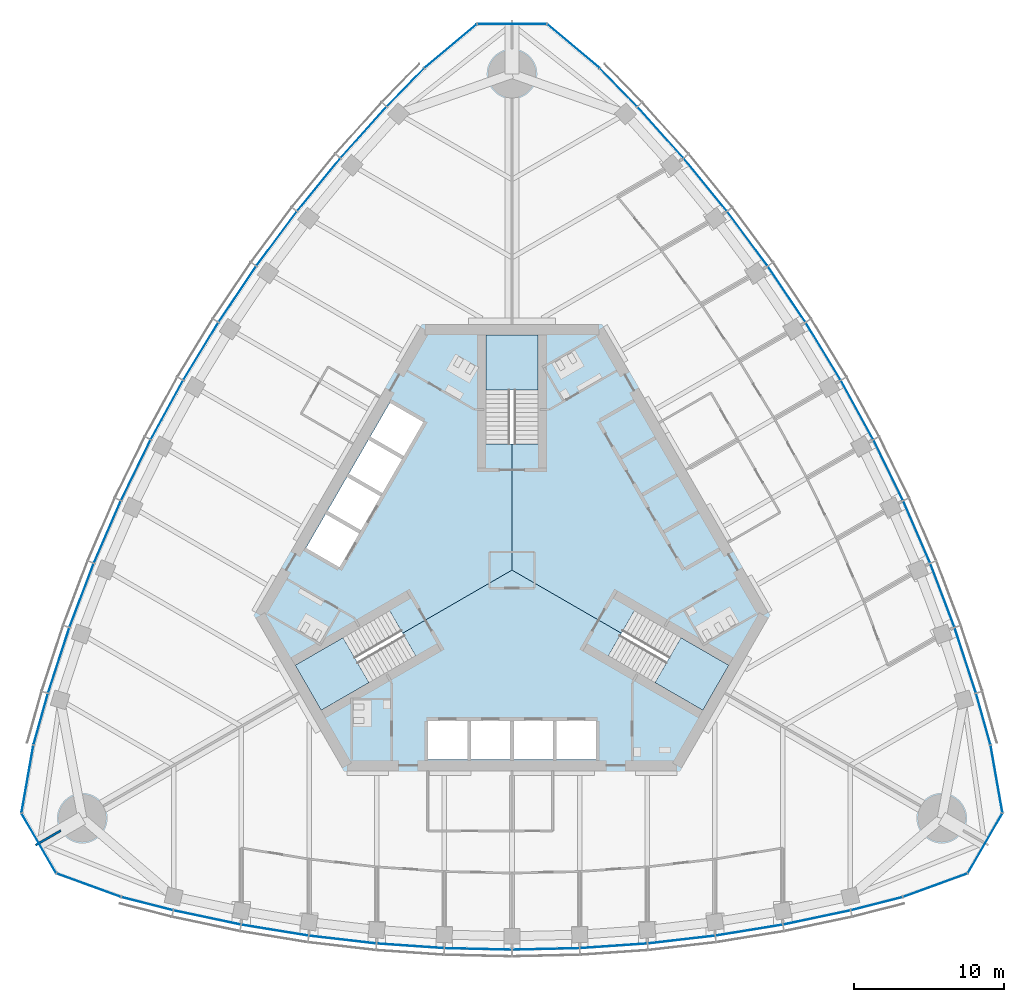
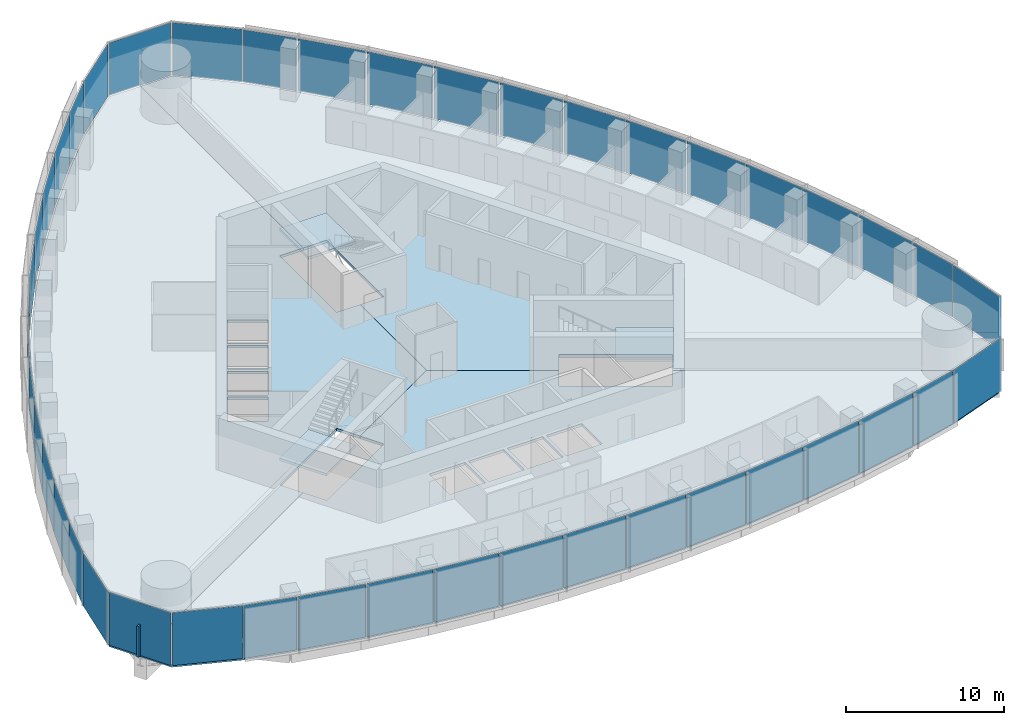
# One storey, part 10 of 19: 45 plates, 6 slabs, 1 wall, 9 elements without a shape of their own.
"""IFC4 building model written with IfcOpenShell, lengths in metres."""

from ifc_helpers import new_model, si_unit, direction, frame, frame_2d, origin, origin_2d, place, context, subcontext, project, spatial, polyline, rectangle, outline, extrude, material, layer, layer_set, type_object, element, aggregate, save


model = new_model("IFC4")

# Units and contexts
model_context = context("Model", 3, precision=1e-05, world=origin(), true_north=direction((0.0, 1.0)))
body_context = subcontext(model_context, "Body", "Model", "MODEL_VIEW")
ifc_project = project(units=[si_unit("LENGTHUNIT", "METRE"), si_unit("AREAUNIT", "SQUARE_METRE"), si_unit("VOLUMEUNIT", "CUBIC_METRE"), si_unit("PLANEANGLEUNIT", "RADIAN"), si_unit("MASSUNIT", "GRAM", prefix="KILO")], contexts=[model_context])

# Site, building, storey
site_placement = place(None, origin())
site = spatial("IfcSite", under=ifc_project, at=site_placement, CompositionType="ELEMENT")
building_placement = place(site_placement, origin())
building = spatial("IfcBuilding", under=site, at=building_placement, Name="Trefoil Bronze Tower", CompositionType="ELEMENT")
storey_placement = place(building_placement, frame((0.0, 0.0, 235.89990234375)))
storey = spatial("IfcBuildingStorey", under=building, at=storey_placement, Name="L54", CompositionType="ELEMENT", Elevation=235.89990234375)

# Curtain wall, plates
ifc_material_1 = material(Name="Tinted solar-control glass", Category="glass")
curtain_wall_type_1 = type_object("IfcCurtainWallType", Name="Bronze office curtain wall", PredefinedType="USERDEFINED", material=ifc_material_1)
curtain_wall_1_placement = place(storey_placement, origin())
curtain_wall_1 = element("IfcCurtainWall", 1, at=curtain_wall_1_placement, inside=storey, type_object=curtain_wall_type_1, Name="CW-A L54 F1", ObjectType="CURTAIN WALL", PredefinedType="USERDEFINED")
ifc_material_2 = material(Name="Tinted solar-control glass", Category="glass")
ifc_layer_1 = layer(ifc_material_2, 0.030029296875)
ifc_layer_set_1 = layer_set([ifc_layer_1], Name="Bronze office curtain wall glass panel")
plate_type_1 = type_object("IfcPlateType", Name="Bronze office curtain wall glass panel", PredefinedType="CURTAIN_PANEL", material=ifc_layer_set_1)
plate_1_placement = place(storey_placement, frame((-24.251220703125, -22.188232421875, 0.0), z_axis=(0.0, 0.0, 1.0), x_axis=(0.968934035393, -0.247319297786, 0.0)))
plate_1 = element("IfcPlate", 2, at=plate_1_placement, type_object=plate_type_1, Name="CW-A L54 F1 panel 1", PredefinedType="CURTAIN_PANEL", context=body_context, shape_type="SweptSolid", body=[
    extrude(rectangle(XDim=3.483642578125, YDim=0.030029296875, at=origin_2d()), origin(), (0.0, 0.0, 1.0), 4.080078125),
])
plate_2_placement = place(storey_placement, frame((-20.270751953125, -23.105224609375, 0.0), z_axis=(0.0, 0.0, 1.0), x_axis=(0.978394335897, -0.20674748725, 0.0)))
plate_2 = element("IfcPlate", 3, at=plate_2_placement, type_object=plate_type_1, Name="CW-A L54 F1 panel 2", PredefinedType="CURTAIN_PANEL", context=body_context, shape_type="SweptSolid", body=[
    extrude(rectangle(XDim=4.519287109375, YDim=0.030029296875, at=origin_2d()), origin(), (0.0, 0.0, 1.0), 4.080078125),
])
plate_3_placement = place(storey_placement, frame((-15.76611328125, -23.9482421875, 0.0), z_axis=(0.0, 0.0, 1.0), x_axis=(0.986986549528, -0.160802832848, 0.0)))
plate_3 = element("IfcPlate", 4, at=plate_3_placement, type_object=plate_type_1, Name="CW-A L54 F1 panel 3", PredefinedType="CURTAIN_PANEL", context=body_context, shape_type="SweptSolid", body=[
    extrude(rectangle(XDim=4.479248046875, YDim=0.030029296875, at=origin_2d()), origin(), (0.0, 0.0, 1.0), 4.080078125),
])
plate_4_placement = place(storey_placement, frame((-11.261474609375, -24.57568359375, 0.0), z_axis=(0.0, 0.0, 1.0), x_axis=(0.993381831741, -0.114858767043, 0.0)))
plate_4 = element("IfcPlate", 5, at=plate_4_placement, type_object=plate_type_1, Name="CW-A L54 F1 panel 4", PredefinedType="CURTAIN_PANEL", context=body_context, shape_type="SweptSolid", body=[
    extrude(rectangle(XDim=4.449951171875, YDim=0.030029296875, at=origin_2d()), origin(), (0.0, 0.0, 1.0), 4.080078125),
])
plate_5_placement = place(storey_placement, frame((-6.7568359375, -24.991455078125, 0.0), z_axis=(0.0, 0.0, 1.0), x_axis=(0.99762252804, -0.068915103905, 0.0)))
plate_5 = element("IfcPlate", 6, at=plate_5_placement, type_object=plate_type_1, Name="CW-A L54 F1 panel 5", PredefinedType="CURTAIN_PANEL", context=body_context, shape_type="SweptSolid", body=[
    extrude(rectangle(XDim=4.4306640625, YDim=0.030029296875, at=origin_2d()), origin(), (0.0, 0.0, 1.0), 4.080078125),
])
plate_6_placement = place(storey_placement, frame((-2.252197265625, -25.198974609375, 0.0), z_axis=(0.0, 0.0, 1.0), x_axis=(0.999736116243, -0.022971675577, 0.0)))
plate_6 = element("IfcPlate", 7, at=plate_6_placement, type_object=plate_type_1, Name="CW-A L54 F1 panel 6", PredefinedType="CURTAIN_PANEL", context=body_context, shape_type="SweptSolid", body=[
    extrude(rectangle(XDim=4.421142578125, YDim=0.030029296875, at=origin_2d()), origin(), (0.0, 0.0, 1.0), 4.080078125),
])
plate_7_placement = place(storey_placement, frame((2.252197265625, -25.198974609375, 0.0), z_axis=(0.0, 0.0, 1.0), x_axis=(0.999736116243, 0.022971675577, 0.0)))
plate_7 = element("IfcPlate", 8, at=plate_7_placement, type_object=plate_type_1, Name="CW-A L54 F1 panel 7", PredefinedType="CURTAIN_PANEL", context=body_context, shape_type="SweptSolid", body=[
    extrude(rectangle(XDim=4.421142578125, YDim=0.030029296875, at=origin_2d()), origin(), (0.0, 0.0, 1.0), 4.080078125),
])
plate_8_placement = place(storey_placement, frame((6.7568359375, -24.991455078125, 0.0), z_axis=(0.0, 0.0, 1.0), x_axis=(0.99762252804, 0.068915103905, 0.0)))
plate_8 = element("IfcPlate", 9, at=plate_8_placement, type_object=plate_type_1, Name="CW-A L54 F1 panel 8", PredefinedType="CURTAIN_PANEL", context=body_context, shape_type="SweptSolid", body=[
    extrude(rectangle(XDim=4.4306640625, YDim=0.030029296875, at=origin_2d()), origin(), (0.0, 0.0, 1.0), 4.080078125),
])
plate_9_placement = place(storey_placement, frame((11.261474609375, -24.57568359375, 0.0), z_axis=(0.0, 0.0, 1.0), x_axis=(0.993381831741, 0.114858767043, 0.0)))
plate_9 = element("IfcPlate", 10, at=plate_9_placement, type_object=plate_type_1, Name="CW-A L54 F1 panel 9", PredefinedType="CURTAIN_PANEL", context=body_context, shape_type="SweptSolid", body=[
    extrude(rectangle(XDim=4.449951171875, YDim=0.030029296875, at=origin_2d()), origin(), (0.0, 0.0, 1.0), 4.080078125),
])
plate_10_placement = place(storey_placement, frame((15.76611328125, -23.9482421875, 0.0), z_axis=(0.0, 0.0, 1.0), x_axis=(0.986986549528, 0.160802832848, 0.0)))
plate_10 = element("IfcPlate", 11, at=plate_10_placement, type_object=plate_type_1, Name="CW-A L54 F1 panel 10", PredefinedType="CURTAIN_PANEL", context=body_context, shape_type="SweptSolid", body=[
    extrude(rectangle(XDim=4.479248046875, YDim=0.030029296875, at=origin_2d()), origin(), (0.0, 0.0, 1.0), 4.080078125),
])
plate_11_placement = place(storey_placement, frame((20.270751953125, -23.105224609375, 0.0), z_axis=(0.0, 0.0, 1.0), x_axis=(0.978394335897, 0.20674748725, 0.0)))
plate_11 = element("IfcPlate", 12, at=plate_11_placement, type_object=plate_type_1, Name="CW-A L54 F1 panel 11", PredefinedType="CURTAIN_PANEL", context=body_context, shape_type="SweptSolid", body=[
    extrude(rectangle(XDim=4.519287109375, YDim=0.030029296875, at=origin_2d()), origin(), (0.0, 0.0, 1.0), 4.080078125),
])
plate_12_placement = place(storey_placement, frame((24.251220703125, -22.188232421875, 0.0), z_axis=(0.0, 0.0, 1.0), x_axis=(0.968934035393, 0.247319297786, 0.0)))
plate_12 = element("IfcPlate", 13, at=plate_12_placement, type_object=plate_type_1, Name="CW-A L54 F1 panel 12", PredefinedType="CURTAIN_PANEL", context=body_context, shape_type="SweptSolid", body=[
    extrude(rectangle(XDim=3.483642578125, YDim=0.030029296875, at=origin_2d()), origin(), (0.0, 0.0, 1.0), 4.080078125),
])
aggregate(curtain_wall_1, [plate_1, plate_2, plate_3, plate_4, plate_5, plate_6, plate_7, plate_8, plate_9, plate_10, plate_11, plate_12])

curtain_wall_2_placement = place(storey_placement, origin())
curtain_wall_2 = element("IfcCurtainWall", 14, at=curtain_wall_2_placement, inside=storey, type_object=curtain_wall_type_1, Name="CW-A L54 F2", ObjectType="CURTAIN WALL", PredefinedType="USERDEFINED")
plate_13_placement = place(storey_placement, frame((31.341064453125, -9.907958984375, 0.0), z_axis=(0.0, 0.0, 1.0), x_axis=(-0.270282222968, 0.962781138134, 0.0)))
plate_13 = element("IfcPlate", 15, at=plate_13_placement, type_object=plate_type_1, Name="CW-A L54 F2 panel 1", PredefinedType="CURTAIN_PANEL", context=body_context, shape_type="SweptSolid", body=[
    extrude(rectangle(XDim=3.483642578125, YDim=0.030029296875, at=origin_2d()), origin(), (0.0, 0.0, 1.0), 4.080078125),
])
plate_14_placement = place(storey_placement, frame((30.14501953125, -6.002197265625, 0.0), z_axis=(0.0, 0.0, 1.0), x_axis=(-0.310148591821, 0.950688093431, 0.0)))
plate_14 = element("IfcPlate", 16, at=plate_14_placement, type_object=plate_type_1, Name="CW-A L54 F2 panel 2", PredefinedType="CURTAIN_PANEL", context=body_context, shape_type="SweptSolid", body=[
    extrude(rectangle(XDim=4.519287109375, YDim=0.030029296875, at=origin_2d()), origin(), (0.0, 0.0, 1.0), 4.080078125),
])
plate_15_placement = place(storey_placement, frame((28.622802734375, -1.6796875, 0.0), z_axis=(0.0, 0.0, 1.0), x_axis=(-0.354233936517, 0.935156841508, 0.0)))
plate_15 = element("IfcPlate", 17, at=plate_15_placement, type_object=plate_type_1, Name="CW-A L54 F2 panel 3", PredefinedType="CURTAIN_PANEL", context=body_context, shape_type="SweptSolid", body=[
    extrude(rectangle(XDim=4.479248046875, YDim=0.030029296875, at=origin_2d()), origin(), (0.0, 0.0, 1.0), 4.080078125),
])
plate_16_placement = place(storey_placement, frame((26.913818359375, 2.53515625, 0.0), z_axis=(0.0, 0.0, 1.0), x_axis=(-0.397220305764, 0.917723285467, 0.0)))
plate_16 = element("IfcPlate", 18, at=plate_16_placement, type_object=plate_type_1, Name="CW-A L54 F2 panel 4", PredefinedType="CURTAIN_PANEL", context=body_context, shape_type="SweptSolid", body=[
    extrude(rectangle(XDim=4.449951171875, YDim=0.030029296875, at=origin_2d()), origin(), (0.0, 0.0, 1.0), 4.080078125),
])
plate_17_placement = place(storey_placement, frame((25.021728515625, 6.64404296875, 0.0), z_axis=(0.0, 0.0, 1.0), x_axis=(-0.439129033334, 0.898424004623, 0.0)))
plate_17 = element("IfcPlate", 19, at=plate_17_placement, type_object=plate_type_1, Name="CW-A L54 F2 panel 5", PredefinedType="CURTAIN_PANEL", context=body_context, shape_type="SweptSolid", body=[
    extrude(rectangle(XDim=4.4306640625, YDim=0.030029296875, at=origin_2d()), origin(), (0.0, 0.0, 1.0), 4.080078125),
])
plate_18_placement = place(storey_placement, frame((22.948974609375, 10.64892578125, 0.0), z_axis=(0.0, 0.0, 1.0), x_axis=(-0.479974003504, 0.877282711536, 0.0)))
plate_18 = element("IfcPlate", 20, at=plate_18_placement, type_object=plate_type_1, Name="CW-A L54 F2 panel 6", PredefinedType="CURTAIN_PANEL", context=body_context, shape_type="SweptSolid", body=[
    extrude(rectangle(XDim=4.421142578125, YDim=0.030029296875, at=origin_2d()), origin(), (0.0, 0.0, 1.0), 4.080078125),
])
plate_19_placement = place(storey_placement, frame((20.69677734375, 14.550048828125, 0.0), z_axis=(0.0, 0.0, 1.0), x_axis=(-0.519762112739, 0.854311035959, 0.0)))
plate_19 = element("IfcPlate", 21, at=plate_19_placement, type_object=plate_type_1, Name="CW-A L54 F2 panel 7", PredefinedType="CURTAIN_PANEL", context=body_context, shape_type="SweptSolid", body=[
    extrude(rectangle(XDim=4.421142578125, YDim=0.030029296875, at=origin_2d()), origin(), (0.0, 0.0, 1.0), 4.080078125),
])
plate_20_placement = place(storey_placement, frame((18.264892578125, 18.347412109375, 0.0), z_axis=(0.0, 0.0, 1.0), x_axis=(-0.558493494706, 0.829508900718, 0.0)))
plate_20 = element("IfcPlate", 22, at=plate_20_placement, type_object=plate_type_1, Name="CW-A L54 F2 panel 8", PredefinedType="CURTAIN_PANEL", context=body_context, shape_type="SweptSolid", body=[
    extrude(rectangle(XDim=4.4306640625, YDim=0.030029296875, at=origin_2d()), origin(), (0.0, 0.0, 1.0), 4.080078125),
])
plate_21_placement = place(storey_placement, frame((15.65234375, 22.04052734375, 0.0), z_axis=(0.0, 0.0, 1.0), x_axis=(-0.596161525977, 0.802864518425, 0.0)))
plate_21 = element("IfcPlate", 23, at=plate_21_placement, type_object=plate_type_1, Name="CW-A L54 F2 panel 9", PredefinedType="CURTAIN_PANEL", context=body_context, shape_type="SweptSolid", body=[
    extrude(rectangle(XDim=4.449951171875, YDim=0.030029296875, at=origin_2d()), origin(), (0.0, 0.0, 1.0), 4.080078125),
])
plate_22_placement = place(storey_placement, frame((12.856689453125, 25.6279296875, 0.0), z_axis=(0.0, 0.0, 1.0), x_axis=(-0.63275261301, 0.774354008661, 0.0)))
plate_22 = element("IfcPlate", 24, at=plate_22_placement, type_object=plate_type_1, Name="CW-A L54 F2 panel 10", PredefinedType="CURTAIN_PANEL", context=body_context, shape_type="SweptSolid", body=[
    extrude(rectangle(XDim=4.479248046875, YDim=0.030029296875, at=origin_2d()), origin(), (0.0, 0.0, 1.0), 4.080078125),
])
plate_23_placement = place(storey_placement, frame((9.87451171875, 29.107666015625, 0.0), z_axis=(0.0, 0.0, 1.0), x_axis=(-0.668245744076, 0.743940606181, 0.0)))
plate_23 = element("IfcPlate", 25, at=plate_23_placement, type_object=plate_type_1, Name="CW-A L54 F2 panel 11", PredefinedType="CURTAIN_PANEL", context=body_context, shape_type="SweptSolid", body=[
    extrude(rectangle(XDim=4.519287109375, YDim=0.030029296875, at=origin_2d()), origin(), (0.0, 0.0, 1.0), 4.080078125),
])
plate_24_placement = place(storey_placement, frame((7.08984375, 32.09619140625, 0.0), z_axis=(0.0, 0.0, 1.0), x_axis=(-0.698651812425, 0.715461840349, 0.0)))
plate_24 = element("IfcPlate", 26, at=plate_24_placement, type_object=plate_type_1, Name="CW-A L54 F2 panel 12", PredefinedType="CURTAIN_PANEL", context=body_context, shape_type="SweptSolid", body=[
    extrude(rectangle(XDim=3.483642578125, YDim=0.030029296875, at=origin_2d()), origin(), (0.0, 0.0, 1.0), 4.080078125),
])
aggregate(curtain_wall_2, [plate_13, plate_14, plate_15, plate_16, plate_17, plate_18, plate_19, plate_20, plate_21, plate_22, plate_23, plate_24])

curtain_wall_3_placement = place(storey_placement, origin())
curtain_wall_3 = element("IfcCurtainWall", 27, at=curtain_wall_3_placement, inside=storey, type_object=curtain_wall_type_1, Name="CW-A L54 F3", ObjectType="CURTAIN WALL", PredefinedType="USERDEFINED")
plate_25_placement = place(storey_placement, frame((-7.08984375, 32.09619140625, 0.0), z_axis=(0.0, 0.0, 1.0), x_axis=(-0.698651812425, -0.715461840349, 0.0)))
plate_25 = element("IfcPlate", 28, at=plate_25_placement, type_object=plate_type_1, Name="CW-A L54 F3 panel 1", PredefinedType="CURTAIN_PANEL", context=body_context, shape_type="SweptSolid", body=[
    extrude(rectangle(XDim=3.483642578125, YDim=0.030029296875, at=origin_2d()), origin(), (0.0, 0.0, 1.0), 4.080078125),
])
plate_26_placement = place(storey_placement, frame((-9.87451171875, 29.107666015625, 0.0), z_axis=(0.0, 0.0, 1.0), x_axis=(-0.668245744076, -0.743940606181, 0.0)))
plate_26 = element("IfcPlate", 29, at=plate_26_placement, type_object=plate_type_1, Name="CW-A L54 F3 panel 2", PredefinedType="CURTAIN_PANEL", context=body_context, shape_type="SweptSolid", body=[
    extrude(rectangle(XDim=4.519287109375, YDim=0.030029296875, at=origin_2d()), origin(), (0.0, 0.0, 1.0), 4.080078125),
])
plate_27_placement = place(storey_placement, frame((-12.856689453125, 25.6279296875, 0.0), z_axis=(0.0, 0.0, 1.0), x_axis=(-0.63275261301, -0.774354008661, 0.0)))
plate_27 = element("IfcPlate", 30, at=plate_27_placement, type_object=plate_type_1, Name="CW-A L54 F3 panel 3", PredefinedType="CURTAIN_PANEL", context=body_context, shape_type="SweptSolid", body=[
    extrude(rectangle(XDim=4.479248046875, YDim=0.030029296875, at=origin_2d()), origin(), (0.0, 0.0, 1.0), 4.080078125),
])
plate_28_placement = place(storey_placement, frame((-15.65234375, 22.04052734375, 0.0), z_axis=(0.0, 0.0, 1.0), x_axis=(-0.596161525977, -0.802864518425, 0.0)))
plate_28 = element("IfcPlate", 31, at=plate_28_placement, type_object=plate_type_1, Name="CW-A L54 F3 panel 4", PredefinedType="CURTAIN_PANEL", context=body_context, shape_type="SweptSolid", body=[
    extrude(rectangle(XDim=4.449951171875, YDim=0.030029296875, at=origin_2d()), origin(), (0.0, 0.0, 1.0), 4.080078125),
])
plate_29_placement = place(storey_placement, frame((-18.264892578125, 18.347412109375, 0.0), z_axis=(0.0, 0.0, 1.0), x_axis=(-0.558493494706, -0.829508900718, 0.0)))
plate_29 = element("IfcPlate", 32, at=plate_29_placement, type_object=plate_type_1, Name="CW-A L54 F3 panel 5", PredefinedType="CURTAIN_PANEL", context=body_context, shape_type="SweptSolid", body=[
    extrude(rectangle(XDim=4.4306640625, YDim=0.030029296875, at=origin_2d()), origin(), (0.0, 0.0, 1.0), 4.080078125),
])
plate_30_placement = place(storey_placement, frame((-20.69677734375, 14.550048828125, 0.0), z_axis=(0.0, 0.0, 1.0), x_axis=(-0.519762112739, -0.854311035959, 0.0)))
plate_30 = element("IfcPlate", 33, at=plate_30_placement, type_object=plate_type_1, Name="CW-A L54 F3 panel 6", PredefinedType="CURTAIN_PANEL", context=body_context, shape_type="SweptSolid", body=[
    extrude(rectangle(XDim=4.421142578125, YDim=0.030029296875, at=origin_2d()), origin(), (0.0, 0.0, 1.0), 4.080078125),
])
plate_31_placement = place(storey_placement, frame((-22.948974609375, 10.64892578125, 0.0), z_axis=(0.0, 0.0, 1.0), x_axis=(-0.479974003504, -0.877282711536, 0.0)))
plate_31 = element("IfcPlate", 34, at=plate_31_placement, type_object=plate_type_1, Name="CW-A L54 F3 panel 7", PredefinedType="CURTAIN_PANEL", context=body_context, shape_type="SweptSolid", body=[
    extrude(rectangle(XDim=4.421142578125, YDim=0.030029296875, at=origin_2d()), origin(), (0.0, 0.0, 1.0), 4.080078125),
])
plate_32_placement = place(storey_placement, frame((-25.021728515625, 6.64404296875, 0.0), z_axis=(0.0, 0.0, 1.0), x_axis=(-0.439129033334, -0.898424004623, 0.0)))
plate_32 = element("IfcPlate", 35, at=plate_32_placement, type_object=plate_type_1, Name="CW-A L54 F3 panel 8", PredefinedType="CURTAIN_PANEL", context=body_context, shape_type="SweptSolid", body=[
    extrude(rectangle(XDim=4.4306640625, YDim=0.030029296875, at=origin_2d()), origin(), (0.0, 0.0, 1.0), 4.080078125),
])
plate_33_placement = place(storey_placement, frame((-26.913818359375, 2.53515625, 0.0), z_axis=(0.0, 0.0, 1.0), x_axis=(-0.397220305764, -0.917723285467, 0.0)))
plate_33 = element("IfcPlate", 36, at=plate_33_placement, type_object=plate_type_1, Name="CW-A L54 F3 panel 9", PredefinedType="CURTAIN_PANEL", context=body_context, shape_type="SweptSolid", body=[
    extrude(rectangle(XDim=4.449951171875, YDim=0.030029296875, at=origin_2d()), origin(), (0.0, 0.0, 1.0), 4.080078125),
])
plate_34_placement = place(storey_placement, frame((-28.622802734375, -1.6796875, 0.0), z_axis=(0.0, 0.0, 1.0), x_axis=(-0.354233936517, -0.935156841508, 0.0)))
plate_34 = element("IfcPlate", 37, at=plate_34_placement, type_object=plate_type_1, Name="CW-A L54 F3 panel 10", PredefinedType="CURTAIN_PANEL", context=body_context, shape_type="SweptSolid", body=[
    extrude(rectangle(XDim=4.479248046875, YDim=0.030029296875, at=origin_2d()), origin(), (0.0, 0.0, 1.0), 4.080078125),
])
plate_35_placement = place(storey_placement, frame((-30.14501953125, -6.002197265625, 0.0), z_axis=(0.0, 0.0, 1.0), x_axis=(-0.310148591821, -0.950688093431, 0.0)))
plate_35 = element("IfcPlate", 38, at=plate_35_placement, type_object=plate_type_1, Name="CW-A L54 F3 panel 11", PredefinedType="CURTAIN_PANEL", context=body_context, shape_type="SweptSolid", body=[
    extrude(rectangle(XDim=4.519287109375, YDim=0.030029296875, at=origin_2d()), origin(), (0.0, 0.0, 1.0), 4.080078125),
])
plate_36_placement = place(storey_placement, frame((-31.341064453125, -9.907958984375, 0.0), z_axis=(0.0, 0.0, 1.0), x_axis=(-0.270282222968, -0.962781138134, 0.0)))
plate_36 = element("IfcPlate", 39, at=plate_36_placement, type_object=plate_type_1, Name="CW-A L54 F3 panel 12", PredefinedType="CURTAIN_PANEL", context=body_context, shape_type="SweptSolid", body=[
    extrude(rectangle(XDim=3.483642578125, YDim=0.030029296875, at=origin_2d()), origin(), (0.0, 0.0, 1.0), 4.080078125),
])
aggregate(curtain_wall_3, [plate_25, plate_26, plate_27, plate_28, plate_29, plate_30, plate_31, plate_32, plate_33, plate_34, plate_35, plate_36])

ifc_material_3 = material(Name="Tinted solar-control glass", Category="glass")
curtain_wall_type_2 = type_object("IfcCurtainWallType", Name="Bronze rounded corner curtain wall", PredefinedType="USERDEFINED", material=ifc_material_3)
curtain_wall_4_placement = place(storey_placement, origin())
curtain_wall_4 = element("IfcCurtainWall", 40, at=curtain_wall_4_placement, inside=storey, type_object=curtain_wall_type_2, Name="CW-B L54 K1", ObjectType="CURTAIN WALL", PredefinedType="USERDEFINED")
ifc_material_4 = material(Name="Tinted solar-control glass", Category="glass")
ifc_layer_2 = layer(ifc_material_4, 0.030029296875)
ifc_layer_set_2 = layer_set([ifc_layer_2], Name="Bronze rounded corner curtain wall glass panel")
plate_type_2 = type_object("IfcPlateType", Name="Bronze rounded corner curtain wall glass panel", PredefinedType="CURTAIN_PANEL", material=ifc_layer_set_2)
plate_37_placement = place(storey_placement, frame((28.1298828125, -20.96484375, 0.0), z_axis=(0.0, 0.0, 1.0), x_axis=(0.939692620786, 0.342020143326, 0.0)))
plate_37 = element("IfcPlate", 41, at=plate_37_placement, type_object=plate_type_2, Name="CW-B L54 K1 panel 1", PredefinedType="CURTAIN_PANEL", context=body_context, shape_type="SweptSolid", body=[
    extrude(rectangle(XDim=4.500244140625, YDim=0.030029296875, at=origin_2d()), origin(), (0.0, 0.0, 1.0), 4.080078125),
])
plate_38_placement = place(storey_placement, frame((31.46484375, -18.166259765625, 0.0), z_axis=(0.0, 0.0, 1.0), x_axis=(0.5, 0.866025403784, 0.0)))
plate_38 = element("IfcPlate", 42, at=plate_38_placement, type_object=plate_type_2, Name="CW-B L54 K1 panel 2", PredefinedType="CURTAIN_PANEL", context=body_context, shape_type="SweptSolid", body=[
    extrude(rectangle(XDim=4.500244140625, YDim=0.030029296875, at=origin_2d()), origin(), (0.0, 0.0, 1.0), 4.080078125),
])
plate_39_placement = place(storey_placement, frame((32.220947265625, -13.878662109375, 0.0), z_axis=(0.0, 0.0, 1.0), x_axis=(-0.173648177667, 0.984807753012, 0.0)))
plate_39 = element("IfcPlate", 43, at=plate_39_placement, type_object=plate_type_2, Name="CW-B L54 K1 panel 3", PredefinedType="CURTAIN_PANEL", context=body_context, shape_type="SweptSolid", body=[
    extrude(rectangle(XDim=4.500244140625, YDim=0.030029296875, at=origin_2d()), origin(), (0.0, 0.0, 1.0), 4.080078125),
])
aggregate(curtain_wall_4, [plate_37, plate_38, plate_39])

curtain_wall_5_placement = place(storey_placement, origin())
curtain_wall_5 = element("IfcCurtainWall", 44, at=curtain_wall_5_placement, inside=storey, type_object=curtain_wall_type_2, Name="CW-B L54 K2", ObjectType="CURTAIN WALL", PredefinedType="USERDEFINED")
plate_40_placement = place(storey_placement, frame((4.091064453125, 34.843505859375, 0.0), z_axis=(0.0, 0.0, 1.0), x_axis=(-0.766044443119, 0.642787609687, 0.0)))
plate_40 = element("IfcPlate", 45, at=plate_40_placement, type_object=plate_type_2, Name="CW-B L54 K2 panel 1", PredefinedType="CURTAIN_PANEL", context=body_context, shape_type="SweptSolid", body=[
    extrude(rectangle(XDim=4.500244140625, YDim=0.030029296875, at=origin_2d()), origin(), (0.0, 0.0, 1.0), 4.080078125),
])
plate_41_placement = place(storey_placement, frame((0.0, 36.33251953125, 0.0), z_axis=(0.0, 0.0, 1.0), x_axis=(-1.0, 0.0, 0.0)))
plate_41 = element("IfcPlate", 46, at=plate_41_placement, type_object=plate_type_2, Name="CW-B L54 K2 panel 2", PredefinedType="CURTAIN_PANEL", context=body_context, shape_type="SweptSolid", body=[
    extrude(rectangle(XDim=4.500244140625, YDim=0.030029296875, at=origin_2d()), origin(), (0.0, 0.0, 1.0), 4.080078125),
])
plate_42_placement = place(storey_placement, frame((-4.091064453125, 34.843505859375, 0.0), z_axis=(0.0, 0.0, 1.0), x_axis=(-0.766044443119, -0.642787609687, 0.0)))
plate_42 = element("IfcPlate", 47, at=plate_42_placement, type_object=plate_type_2, Name="CW-B L54 K2 panel 3", PredefinedType="CURTAIN_PANEL", context=body_context, shape_type="SweptSolid", body=[
    extrude(rectangle(XDim=4.500244140625, YDim=0.030029296875, at=origin_2d()), origin(), (0.0, 0.0, 1.0), 4.080078125),
])
aggregate(curtain_wall_5, [plate_40, plate_41, plate_42])

curtain_wall_6_placement = place(storey_placement, origin())
curtain_wall_6 = element("IfcCurtainWall", 48, at=curtain_wall_6_placement, inside=storey, type_object=curtain_wall_type_2, Name="CW-B L54 K3", ObjectType="CURTAIN WALL", PredefinedType="USERDEFINED")
plate_43_placement = place(storey_placement, frame((-32.220947265625, -13.878662109375, 0.0), z_axis=(0.0, 0.0, 1.0), x_axis=(-0.173648177667, -0.984807753012, 0.0)))
plate_43 = element("IfcPlate", 49, at=plate_43_placement, type_object=plate_type_2, Name="CW-B L54 K3 panel 1", PredefinedType="CURTAIN_PANEL", context=body_context, shape_type="SweptSolid", body=[
    extrude(rectangle(XDim=4.500244140625, YDim=0.030029296875, at=origin_2d()), origin(), (0.0, 0.0, 1.0), 4.080078125),
])
plate_44_placement = place(storey_placement, frame((-31.46484375, -18.166259765625, 0.0), z_axis=(0.0, 0.0, 1.0), x_axis=(0.5, -0.866025403784, 0.0)))
plate_44 = element("IfcPlate", 50, at=plate_44_placement, type_object=plate_type_2, Name="CW-B L54 K3 panel 2", PredefinedType="CURTAIN_PANEL", context=body_context, shape_type="SweptSolid", body=[
    extrude(rectangle(XDim=4.500244140625, YDim=0.030029296875, at=origin_2d()), origin(), (0.0, 0.0, 1.0), 4.080078125),
])
plate_45_placement = place(storey_placement, frame((-28.1298828125, -20.96484375, 0.0), z_axis=(0.0, 0.0, 1.0), x_axis=(0.939692620786, -0.342020143326, 0.0)))
plate_45 = element("IfcPlate", 51, at=plate_45_placement, type_object=plate_type_2, Name="CW-B L54 K3 panel 3", PredefinedType="CURTAIN_PANEL", context=body_context, shape_type="SweptSolid", body=[
    extrude(rectangle(XDim=4.500244140625, YDim=0.030029296875, at=origin_2d()), origin(), (0.0, 0.0, 1.0), 4.080078125),
])
aggregate(curtain_wall_6, [plate_43, plate_44, plate_45])

# Slabs
ifc_material_5 = material(Name="Concrete B30", Category="concrete")
ifc_layer_3 = layer(ifc_material_5, 0.199951171875)
ifc_layer_set_3 = layer_set([ifc_layer_3], Name="Floor slab 200")
slab_type_1 = type_object("IfcSlabType", Name="Floor slab 200", PredefinedType="FLOOR", material=ifc_layer_set_3)
slab_1_placement = place(storey_placement, frame((0.0, 0.0, -0.199951171875)))
element("IfcSlab", 52, at=slab_1_placement, inside=storey, type_object=slab_type_1, Name="Floor slab L54 face 1", PredefinedType="FLOOR", context=body_context, shape_type="SweptSolid", body=[
    extrude(outline(polyline([(18.0, -23.48291015625), (13.5, -24.216064453125), (9.0, -24.736328125), (4.5, -25.047119140625), (0.0, -25.150634765625), (-4.5, -25.047119140625), (-9.0, -24.736328125), (-13.5, -24.216064453125), (-18.0, -23.48291015625), (-22.5, -22.531982421875), (-25.952880859375, -21.650634765625), (-30.23828125, -20.0908203125), (-31.37841796875, -18.1162109375), (-13.510009765625, -7.800048828125), (-12.6474609375, -9.2939453125), (-6.412109375, -5.69384765625), (-7.274658203125, -4.199951171875), (0.0, 0.0), (7.274658203125, -4.199951171875), (6.412109375, -5.69384765625), (12.6474609375, -9.2939453125), (13.510009765625, -7.800048828125), (31.37841796875, -18.1162109375), (30.23828125, -20.0908203125), (25.952880859375, -21.650634765625), (22.5, -22.531982421875), (18.0, -23.48291015625)]), holes=[polyline([(-5.574951171875, -10.02490234375), (-2.97509765625, -10.02490234375), (-2.97509765625, -12.60009765625), (-5.574951171875, -12.60009765625), (-5.574951171875, -10.02490234375)]), polyline([(-2.72509765625, -10.02490234375), (-0.125, -10.02490234375), (-0.125, -12.60009765625), (-2.72509765625, -12.60009765625), (-2.72509765625, -10.02490234375)]), polyline([(0.125, -10.02490234375), (2.72509765625, -10.02490234375), (2.72509765625, -12.60009765625), (0.125, -12.60009765625), (0.125, -10.02490234375)]), polyline([(2.97509765625, -10.02490234375), (5.574951171875, -10.02490234375), (5.574951171875, -12.60009765625), (2.97509765625, -12.60009765625), (2.97509765625, -10.02490234375)])]), origin(), (0.0, 0.0, 1.0), 0.199951171875),
])
slab_2_placement = place(storey_placement, frame((0.0, 0.0, -0.199951171875)))
element("IfcSlab", 53, at=slab_2_placement, inside=storey, type_object=slab_type_1, Name="Floor slab L54 face 2", PredefinedType="FLOOR", context=body_context, shape_type="SweptSolid", body=[
    extrude(outline(polyline([(11.3369140625, 27.329833984375), (14.2216796875, 23.79931640625), (16.92236328125, 20.162353515625), (19.441650390625, 16.420654296875), (21.781005859375, 12.575439453125), (23.941650390625, 8.62646484375), (25.92236328125, 4.573974609375), (27.7216796875, 0.416748046875), (29.3369140625, -3.846923828125), (30.76318359375, -8.219482421875), (31.7265625, -11.650634765625), (32.518310546875, -16.1416015625), (31.37841796875, -18.1162109375), (13.510009765625, -7.800048828125), (14.37255859375, -6.30615234375), (8.13720703125, -2.7060546875), (7.274658203125, -4.199951171875), (0.0, 0.0), (0.0, 8.39990234375), (1.72509765625, 8.39990234375), (1.72509765625, 15.60009765625), (0.0, 15.60009765625), (0.0, 36.232666015625), (2.280029296875, 36.232666015625), (5.7734375, 33.30126953125), (8.26318359375, 30.75146484375), (11.3369140625, 27.329833984375)])), origin(), (0.0, 0.0, 1.0), 0.199951171875),
])
slab_3_placement = place(storey_placement, frame((0.0, 0.0, -0.199951171875)))
element("IfcSlab", 54, at=slab_3_placement, inside=storey, type_object=slab_type_1, Name="Floor slab L54 face 3", PredefinedType="FLOOR", context=body_context, shape_type="SweptSolid", body=[
    extrude(outline(polyline([(-29.3369140625, -3.846923828125), (-27.7216796875, 0.416748046875), (-25.92236328125, 4.573974609375), (-23.941650390625, 8.62646484375), (-21.781005859375, 12.575439453125), (-19.441650390625, 16.420654296875), (-16.92236328125, 20.162353515625), (-14.2216796875, 23.79931640625), (-11.3369140625, 27.329833984375), (-8.26318359375, 30.75146484375), (-5.7734375, 33.30126953125), (-2.280029296875, 36.232666015625), (0.0, 36.232666015625), (0.0, 15.60009765625), (-1.72509765625, 15.60009765625), (-1.72509765625, 8.39990234375), (0.0, 8.39990234375), (0.0, 0.0), (-7.274658203125, -4.199951171875), (-8.13720703125, -2.7060546875), (-14.37255859375, -6.30615234375), (-13.510009765625, -7.800048828125), (-31.37841796875, -18.1162109375), (-32.518310546875, -16.1416015625), (-31.7265625, -11.650634765625), (-30.76318359375, -8.219482421875), (-29.3369140625, -3.846923828125)]), holes=[polyline([(-5.894287109375, 9.840576171875), (-7.1943359375, 7.5888671875), (-9.42431640625, 8.87646484375), (-8.12451171875, 11.128173828125), (-5.894287109375, 9.840576171875)]), polyline([(-7.3193359375, 7.372314453125), (-8.619384765625, 5.120849609375), (-10.849365234375, 6.408203125), (-9.54931640625, 8.659912109375), (-7.3193359375, 7.372314453125)]), polyline([(-8.744384765625, 4.904296875), (-10.04443359375, 2.652587890625), (-12.2744140625, 3.940185546875), (-10.974365234375, 6.191650390625), (-8.744384765625, 4.904296875)]), polyline([(-10.16943359375, 2.43603515625), (-11.469482421875, 0.184326171875), (-13.699462890625, 1.471923828125), (-12.3994140625, 3.7236328125), (-10.16943359375, 2.43603515625)])]), origin(), (0.0, 0.0, 1.0), 0.199951171875),
])

# Stair, slab
ifc_material_6 = material(Name="Precast concrete B80", Category="concrete")
stair_type = type_object("IfcStairType", Name="Exit stair 26 risers", PredefinedType="HALF_TURN_STAIR", material=ifc_material_6)
stair_1_placement = place(storey_placement, origin())
stair_1 = element("IfcStair", 55, at=stair_1_placement, inside=storey, type_object=stair_type, Name="Stair ST1 L54", PredefinedType="HALF_TURN_STAIR")
ifc_material_7 = material(Name="Concrete B30", Category="concrete")
ifc_layer_4 = layer(ifc_material_7, 0.199951171875)
ifc_layer_set_4 = layer_set([ifc_layer_4], Name="Stair landing 200")
slab_type_2 = type_object("IfcSlabType", Name="Stair landing 200", PredefinedType="LANDING", material=ifc_layer_set_4)
slab_4_placement = place(storey_placement, frame((0.0, 0.0, 1.900146484375)))
slab_4 = element("IfcSlab", 56, at=slab_4_placement, type_object=slab_type_2, Name="ST1 landing 1", PredefinedType="LANDING", context=body_context, shape_type="SweptSolid", body=[
    extrude(outline(polyline([(9.512451171875, -7.48388671875), (12.69091796875, -9.31884765625), (14.415771484375, -6.3310546875), (11.237548828125, -4.49609375), (9.512451171875, -7.48388671875)])), origin(), (0.0, 0.0, 1.0), 0.199951171875),
])
aggregate(stair_1, [slab_4])

stair_2_placement = place(storey_placement, origin())
stair_2 = element("IfcStair", 57, at=stair_2_placement, inside=storey, type_object=stair_type, Name="Stair ST2 L54", PredefinedType="HALF_TURN_STAIR")
slab_5_placement = place(storey_placement, frame((0.0, 0.0, 1.900146484375)))
slab_5 = element("IfcSlab", 58, at=slab_5_placement, type_object=slab_type_2, Name="ST2 landing 1", PredefinedType="LANDING", context=body_context, shape_type="SweptSolid", body=[
    extrude(outline(polyline([(1.72509765625, 11.97998046875), (1.72509765625, 15.64990234375), (-1.72509765625, 15.64990234375), (-1.72509765625, 11.97998046875), (1.72509765625, 11.97998046875)])), origin(), (0.0, 0.0, 1.0), 0.199951171875),
])
aggregate(stair_2, [slab_5])

stair_3_placement = place(storey_placement, origin())
stair_3 = element("IfcStair", 59, at=stair_3_placement, inside=storey, type_object=stair_type, Name="Stair ST3 L54", PredefinedType="HALF_TURN_STAIR")
slab_6_placement = place(storey_placement, frame((0.0, 0.0, 1.900146484375)))
slab_6 = element("IfcSlab", 60, at=slab_6_placement, type_object=slab_type_2, Name="ST3 landing 1", PredefinedType="LANDING", context=body_context, shape_type="SweptSolid", body=[
    extrude(outline(polyline([(-11.237548828125, -4.49609375), (-14.415771484375, -6.3310546875), (-12.69091796875, -9.31884765625), (-9.512451171875, -7.48388671875), (-11.237548828125, -4.49609375)])), origin(), (0.0, 0.0, 1.0), 0.199951171875),
])
aggregate(stair_3, [slab_6])

# Wall
ifc_material_8 = material(Name="Gypsum board on steel studs", Category="steel")
ifc_layer_5 = layer(ifc_material_8, 0.14990234375)
ifc_layer_set_5 = layer_set([ifc_layer_5], Name="Party wall 150")
wall_type = type_object("IfcWallType", Name="Party wall 150", PredefinedType="PARTITIONING", material=ifc_layer_set_5)
wall_placement = place(storey_placement, frame((-30.0078125, -17.324951171875, 0.0), z_axis=(0.0, 0.0, 1.0), x_axis=(-0.866013246922, -0.500021055713, 0.0)))
element("IfcWall", 61, at=wall_placement, inside=storey, type_object=wall_type, Name="Party wall K3 L54", PredefinedType="PARTITIONING", context=body_context, shape_type="SweptSolid", body=[
    extrude(rectangle(XDim=1.9345703125, YDim=0.14990234375, at=frame_2d((0.96728515625, 0.0))), origin(), (0.0, 0.0, 1.0), 2.400146484375),
])

save(model, "model.ifc")
